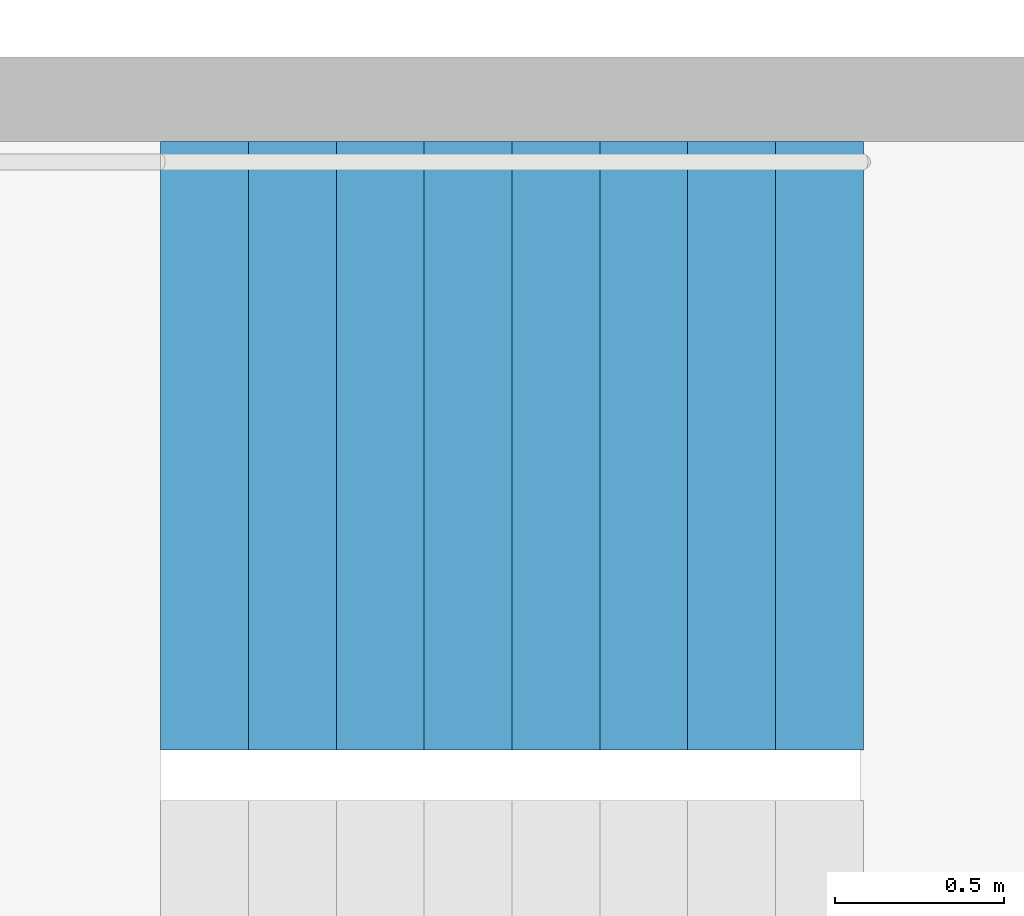
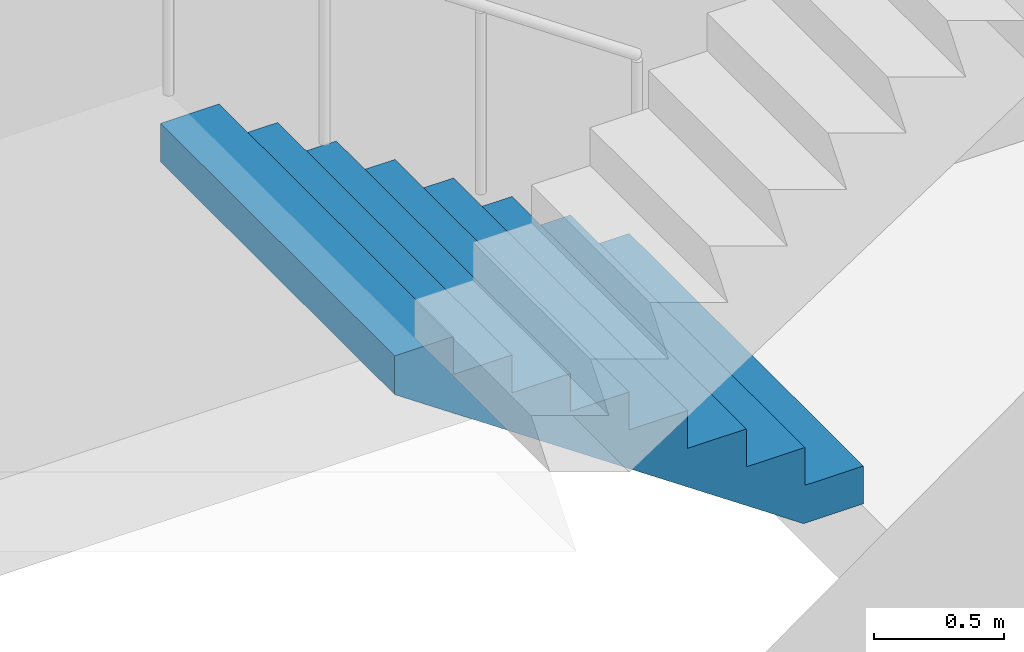
# One storey, part 17 of 29: 1 stair flight, 1 element without a shape of its own.
"""IFC4 building model written with IfcOpenShell, lengths in metres."""

from ifc_helpers import new_model, si_unit, direction, frame, origin, place, context, subcontext, project, spatial, triangles, material, type_object, element, aggregate, save


model = new_model("IFC4")

# Units and contexts
model_context = context("Model", 3, precision=1e-05, world=origin(), true_north=direction((0.0, 1.0)))
body_context = subcontext(model_context, "Body", "Model", "MODEL_VIEW")
ifc_project = project(units=[si_unit("LENGTHUNIT", "METRE"), si_unit("AREAUNIT", "SQUARE_METRE"), si_unit("VOLUMEUNIT", "CUBIC_METRE"), si_unit("PLANEANGLEUNIT", "RADIAN"), si_unit("MASSUNIT", "GRAM", prefix="KILO")], contexts=[model_context])

# Site, building, storey
site_placement = place(None, origin())
site = spatial("IfcSite", under=ifc_project, at=site_placement, CompositionType="ELEMENT")
building_placement = place(site_placement, origin())
building = spatial("IfcBuilding", under=site, at=building_placement, Name="Hakoniwa Tower and Hamabe Station Hall", CompositionType="ELEMENT")
storey_placement = place(building_placement, frame((0.0, 0.0, 163.0)))
storey = spatial("IfcBuildingStorey", under=building, at=storey_placement, Name="L46", CompositionType="ELEMENT", Elevation=163.0)

# Stair, stair flight
ifc_material_1 = material(Name="Concrete C40", Category="concrete")
stair_type = type_object("IfcStairType", Name="ESCAPE STAIR 1800", PredefinedType="HALF_TURN_STAIR", material=ifc_material_1)
stair_placement = place(storey_placement, origin())
stair = element("IfcStair", 1, at=stair_placement, inside=storey, type_object=stair_type, Name="Escape stair ST-2 L46", PredefinedType="HALF_TURN_STAIR")
ifc_material_2 = material(Name="Concrete C40", Category="concrete")
stair_flight_type = type_object("IfcStairFlightType", Name="STAIR FLIGHT 1800", PredefinedType="STRAIGHT", material=ifc_material_2)
stair_flight_placement = place(storey_placement, frame((-23.39990234375, -4.64990234375, 0.0), z_axis=(0.0, 0.0, 1.0), x_axis=(-1.0, 0.0, 0.0)))
stair_flight = element("IfcStairFlight", 2, at=stair_flight_placement, type_object=stair_flight_type, Name="ST-2 flight 1", NumberOfRisers=9, NumberOfTreads=8, PredefinedType="STRAIGHT", RiserHeight=0.177777778, TreadLength=0.26, context=body_context, shape_type="Tessellation", body=[
    triangles([(0.0, 0.89990234375, 0.0), (0.260009765625, 0.89990234375, 0.0), (0.265625, 0.89990234375, 0.0), (0.52001953125, 0.89990234375, 0.174072265625), (0.780029296875, 0.89990234375, 0.351806640625), (1.0400390625, 0.89990234375, 0.529541015625), (1.300048828125, 0.89990234375, 0.707275390625), (1.56005859375, 0.89990234375, 0.885009765625), (1.820068359375, 0.89990234375, 1.062744140625), (2.080078125, 0.89990234375, 1.24072265625), (2.080078125, 0.89990234375, 1.422119140625), (1.820068359375, 0.89990234375, 1.422119140625), (1.820068359375, 0.89990234375, 1.244384765625), (1.56005859375, 0.89990234375, 1.244384765625), (1.56005859375, 0.89990234375, 1.066650390625), (1.300048828125, 0.89990234375, 1.066650390625), (1.300048828125, 0.89990234375, 0.888916015625), (1.0400390625, 0.89990234375, 0.888916015625), (1.0400390625, 0.89990234375, 0.711181640625), (0.780029296875, 0.89990234375, 0.711181640625), (0.780029296875, 0.89990234375, 0.533447265625), (0.52001953125, 0.89990234375, 0.533447265625), (0.52001953125, 0.89990234375, 0.35546875), (0.265625, 0.89990234375, 0.35546875), (0.260009765625, 0.89990234375, 0.35546875), (0.260009765625, 0.89990234375, 0.177734375), (0.0, 0.89990234375, 0.177734375), (0.0, 0.06005859375, 0.0), (0.260009765625, 0.06005859375, 0.0), (0.265625, 0.06005859375, 0.0), (0.52001953125, 0.06005859375, 0.174072265625), (0.780029296875, 0.06005859375, 0.351806640625), (1.0400390625, 0.06005859375, 0.529541015625), (1.300048828125, 0.06005859375, 0.707275390625), (1.56005859375, 0.06005859375, 0.885009765625), (1.820068359375, 0.06005859375, 1.062744140625), (2.080078125, 0.06005859375, 1.24072265625), (2.080078125, 0.06005859375, 1.422119140625), (1.820068359375, 0.06005859375, 1.422119140625), (1.820068359375, 0.06005859375, 1.244384765625), (1.56005859375, 0.06005859375, 1.244384765625), (1.56005859375, 0.06005859375, 1.066650390625), (1.300048828125, 0.06005859375, 1.066650390625), (1.300048828125, 0.06005859375, 0.888916015625), (1.0400390625, 0.06005859375, 0.888916015625), (1.0400390625, 0.06005859375, 0.711181640625), (0.780029296875, 0.06005859375, 0.711181640625), (0.780029296875, 0.06005859375, 0.533447265625), (0.52001953125, 0.06005859375, 0.533447265625), (0.52001953125, 0.06005859375, 0.35546875), (0.265625, 0.06005859375, 0.35546875), (0.260009765625, 0.06005859375, 0.35546875), (0.260009765625, 0.06005859375, 0.177734375), (0.0, 0.06005859375, 0.177734375), (0.0, 0.04296875, 0.0), (0.260009765625, 0.04296875, 0.0), (0.265625, 0.04296875, 0.0), (0.52001953125, 0.04296875, 0.174072265625), (0.780029296875, 0.04296875, 0.351806640625), (1.0400390625, 0.04296875, 0.529541015625), (1.300048828125, 0.04296875, 0.707275390625), (1.56005859375, 0.04296875, 0.885009765625), (1.820068359375, 0.04296875, 1.062744140625), (2.080078125, 0.04296875, 1.24072265625), (2.080078125, 0.04296875, 1.422119140625), (1.820068359375, 0.04296875, 1.422119140625), (1.820068359375, 0.04296875, 1.244384765625), (1.56005859375, 0.04296875, 1.244384765625), (1.56005859375, 0.04296875, 1.066650390625), (1.300048828125, 0.04296875, 1.066650390625), (1.300048828125, 0.04296875, 0.888916015625), (1.0400390625, 0.04296875, 0.888916015625), (1.0400390625, 0.04296875, 0.711181640625), (0.780029296875, 0.04296875, 0.711181640625), (0.780029296875, 0.04296875, 0.533447265625), (0.52001953125, 0.04296875, 0.533447265625), (0.52001953125, 0.04296875, 0.35546875), (0.265625, 0.04296875, 0.35546875), (0.260009765625, 0.04296875, 0.35546875), (0.260009765625, 0.04296875, 0.177734375), (0.0, 0.04296875, 0.177734375), (0.0, 0.025634765625, 0.0), (0.260009765625, 0.025634765625, 0.0), (0.265625, 0.025634765625, 0.0), (0.52001953125, 0.025634765625, 0.174072265625), (0.780029296875, 0.025634765625, 0.351806640625), (1.0400390625, 0.025634765625, 0.529541015625), (1.300048828125, 0.025634765625, 0.707275390625), (1.56005859375, 0.025634765625, 0.885009765625), (1.820068359375, 0.025634765625, 1.062744140625), (2.080078125, 0.025634765625, 1.24072265625), (2.080078125, 0.025634765625, 1.422119140625), (1.820068359375, 0.025634765625, 1.422119140625), (1.820068359375, 0.025634765625, 1.244384765625), (1.56005859375, 0.025634765625, 1.244384765625), (1.56005859375, 0.025634765625, 1.066650390625), (1.300048828125, 0.025634765625, 1.066650390625), (1.300048828125, 0.025634765625, 0.888916015625), (1.0400390625, 0.025634765625, 0.888916015625), (1.0400390625, 0.025634765625, 0.711181640625), (0.780029296875, 0.025634765625, 0.711181640625), (0.780029296875, 0.025634765625, 0.533447265625), (0.52001953125, 0.025634765625, 0.533447265625), (0.52001953125, 0.025634765625, 0.35546875), (0.265625, 0.025634765625, 0.35546875), (0.260009765625, 0.025634765625, 0.35546875), (0.260009765625, 0.025634765625, 0.177734375), (0.0, 0.025634765625, 0.177734375), (0.0, 0.008544921875, 0.0), (0.260009765625, 0.008544921875, 0.0), (0.265625, 0.008544921875, 0.0), (0.52001953125, 0.008544921875, 0.174072265625), (0.780029296875, 0.008544921875, 0.351806640625), (1.0400390625, 0.008544921875, 0.529541015625), (1.300048828125, 0.008544921875, 0.707275390625), (1.56005859375, 0.008544921875, 0.885009765625), (1.820068359375, 0.008544921875, 1.062744140625), (2.080078125, 0.008544921875, 1.24072265625), (2.080078125, 0.008544921875, 1.422119140625), (1.820068359375, 0.008544921875, 1.422119140625), (1.820068359375, 0.008544921875, 1.244384765625), (1.56005859375, 0.008544921875, 1.244384765625), (1.56005859375, 0.008544921875, 1.066650390625), (1.300048828125, 0.008544921875, 1.066650390625), (1.300048828125, 0.008544921875, 0.888916015625), (1.0400390625, 0.008544921875, 0.888916015625), (1.0400390625, 0.008544921875, 0.711181640625), (0.780029296875, 0.008544921875, 0.711181640625), (0.780029296875, 0.008544921875, 0.533447265625), (0.52001953125, 0.008544921875, 0.533447265625), (0.52001953125, 0.008544921875, 0.35546875), (0.265625, 0.008544921875, 0.35546875), (0.260009765625, 0.008544921875, 0.35546875), (0.260009765625, 0.008544921875, 0.177734375), (0.0, 0.008544921875, 0.177734375), (0.0, -0.008544921875, 0.0), (0.260009765625, -0.008544921875, 0.0), (0.265625, -0.008544921875, 0.0), (0.52001953125, -0.008544921875, 0.174072265625), (0.780029296875, -0.008544921875, 0.351806640625), (1.0400390625, -0.008544921875, 0.529541015625), (1.300048828125, -0.008544921875, 0.707275390625), (1.56005859375, -0.008544921875, 0.885009765625), (1.820068359375, -0.008544921875, 1.062744140625), (2.080078125, -0.008544921875, 1.24072265625), (2.080078125, -0.008544921875, 1.422119140625), (1.820068359375, -0.008544921875, 1.422119140625), (1.820068359375, -0.008544921875, 1.244384765625), (1.56005859375, -0.008544921875, 1.244384765625), (1.56005859375, -0.008544921875, 1.066650390625), (1.300048828125, -0.008544921875, 1.066650390625), (1.300048828125, -0.008544921875, 0.888916015625), (1.0400390625, -0.008544921875, 0.888916015625), (1.0400390625, -0.008544921875, 0.711181640625), (0.780029296875, -0.008544921875, 0.711181640625), (0.780029296875, -0.008544921875, 0.533447265625), (0.52001953125, -0.008544921875, 0.533447265625), (0.52001953125, -0.008544921875, 0.35546875), (0.265625, -0.008544921875, 0.35546875), (0.260009765625, -0.008544921875, 0.35546875), (0.260009765625, -0.008544921875, 0.177734375), (0.0, -0.008544921875, 0.177734375), (0.0, -0.025634765625, 0.0), (0.260009765625, -0.025634765625, 0.0), (0.265625, -0.025634765625, 0.0), (0.52001953125, -0.025634765625, 0.174072265625), (0.780029296875, -0.025634765625, 0.351806640625), (1.0400390625, -0.025634765625, 0.529541015625), (1.300048828125, -0.025634765625, 0.707275390625), (1.56005859375, -0.025634765625, 0.885009765625), (1.820068359375, -0.025634765625, 1.062744140625), (2.080078125, -0.025634765625, 1.24072265625), (2.080078125, -0.025634765625, 1.422119140625), (1.820068359375, -0.025634765625, 1.422119140625), (1.820068359375, -0.025634765625, 1.244384765625), (1.56005859375, -0.025634765625, 1.244384765625), (1.56005859375, -0.025634765625, 1.066650390625), (1.300048828125, -0.025634765625, 1.066650390625), (1.300048828125, -0.025634765625, 0.888916015625), (1.0400390625, -0.025634765625, 0.888916015625), (1.0400390625, -0.025634765625, 0.711181640625), (0.780029296875, -0.025634765625, 0.711181640625), (0.780029296875, -0.025634765625, 0.533447265625), (0.52001953125, -0.025634765625, 0.533447265625), (0.52001953125, -0.025634765625, 0.35546875), (0.265625, -0.025634765625, 0.35546875), (0.260009765625, -0.025634765625, 0.35546875), (0.260009765625, -0.025634765625, 0.177734375), (0.0, -0.025634765625, 0.177734375), (0.0, -0.04296875, 0.0), (0.260009765625, -0.04296875, 0.0), (0.265625, -0.04296875, 0.0), (0.52001953125, -0.04296875, 0.174072265625), (0.780029296875, -0.04296875, 0.351806640625), (1.0400390625, -0.04296875, 0.529541015625), (1.300048828125, -0.04296875, 0.707275390625), (1.56005859375, -0.04296875, 0.885009765625), (1.820068359375, -0.04296875, 1.062744140625), (2.080078125, -0.04296875, 1.24072265625), (2.080078125, -0.04296875, 1.422119140625), (1.820068359375, -0.04296875, 1.422119140625), (1.820068359375, -0.04296875, 1.244384765625), (1.56005859375, -0.04296875, 1.244384765625), (1.56005859375, -0.04296875, 1.066650390625), (1.300048828125, -0.04296875, 1.066650390625), (1.300048828125, -0.04296875, 0.888916015625), (1.0400390625, -0.04296875, 0.888916015625), (1.0400390625, -0.04296875, 0.711181640625), (0.780029296875, -0.04296875, 0.711181640625), (0.780029296875, -0.04296875, 0.533447265625), (0.52001953125, -0.04296875, 0.533447265625), (0.52001953125, -0.04296875, 0.35546875), (0.265625, -0.04296875, 0.35546875), (0.260009765625, -0.04296875, 0.35546875), (0.260009765625, -0.04296875, 0.177734375), (0.0, -0.04296875, 0.177734375), (0.0, -0.06005859375, 0.0), (0.260009765625, -0.06005859375, 0.0), (0.265625, -0.06005859375, 0.0), (0.52001953125, -0.06005859375, 0.174072265625), (0.780029296875, -0.06005859375, 0.351806640625), (1.0400390625, -0.06005859375, 0.529541015625), (1.300048828125, -0.06005859375, 0.707275390625), (1.56005859375, -0.06005859375, 0.885009765625), (1.820068359375, -0.06005859375, 1.062744140625), (2.080078125, -0.06005859375, 1.24072265625), (2.080078125, -0.06005859375, 1.422119140625), (1.820068359375, -0.06005859375, 1.422119140625), (1.820068359375, -0.06005859375, 1.244384765625), (1.56005859375, -0.06005859375, 1.244384765625), (1.56005859375, -0.06005859375, 1.066650390625), (1.300048828125, -0.06005859375, 1.066650390625), (1.300048828125, -0.06005859375, 0.888916015625), (1.0400390625, -0.06005859375, 0.888916015625), (1.0400390625, -0.06005859375, 0.711181640625), (0.780029296875, -0.06005859375, 0.711181640625), (0.780029296875, -0.06005859375, 0.533447265625), (0.52001953125, -0.06005859375, 0.533447265625), (0.52001953125, -0.06005859375, 0.35546875), (0.265625, -0.06005859375, 0.35546875), (0.260009765625, -0.06005859375, 0.35546875), (0.260009765625, -0.06005859375, 0.177734375), (0.0, -0.06005859375, 0.177734375), (0.0, -0.89990234375, 0.0), (0.260009765625, -0.89990234375, 0.0), (0.265625, -0.89990234375, 0.0), (0.52001953125, -0.89990234375, 0.174072265625), (0.780029296875, -0.89990234375, 0.351806640625), (1.0400390625, -0.89990234375, 0.529541015625), (1.300048828125, -0.89990234375, 0.707275390625), (1.56005859375, -0.89990234375, 0.885009765625), (1.820068359375, -0.89990234375, 1.062744140625), (2.080078125, -0.89990234375, 1.24072265625), (2.080078125, -0.89990234375, 1.422119140625), (1.820068359375, -0.89990234375, 1.422119140625), (1.820068359375, -0.89990234375, 1.244384765625), (1.56005859375, -0.89990234375, 1.244384765625), (1.56005859375, -0.89990234375, 1.066650390625), (1.300048828125, -0.89990234375, 1.066650390625), (1.300048828125, -0.89990234375, 0.888916015625), (1.0400390625, -0.89990234375, 0.888916015625), (1.0400390625, -0.89990234375, 0.711181640625), (0.780029296875, -0.89990234375, 0.711181640625), (0.780029296875, -0.89990234375, 0.533447265625), (0.52001953125, -0.89990234375, 0.533447265625), (0.52001953125, -0.89990234375, 0.35546875), (0.265625, -0.89990234375, 0.35546875), (0.260009765625, -0.89990234375, 0.35546875), (0.260009765625, -0.89990234375, 0.177734375), (0.0, -0.89990234375, 0.177734375)], [[2, 27, 26], [245, 269, 270], [2, 1, 27], [245, 270, 244], [3, 25, 24], [246, 267, 268], [3, 26, 25], [246, 268, 269], [3, 2, 26], [246, 269, 245], [4, 24, 23], [247, 266, 267], [4, 3, 24], [247, 267, 246], [5, 22, 21], [248, 264, 265], [5, 23, 22], [248, 265, 266], [5, 4, 23], [248, 266, 247], [6, 20, 19], [249, 262, 263], [6, 21, 20], [249, 263, 264], [6, 5, 21], [249, 264, 248], [7, 18, 17], [250, 260, 261], [7, 19, 18], [250, 261, 262], [7, 6, 19], [250, 262, 249], [8, 16, 15], [251, 258, 259], [8, 17, 16], [251, 259, 260], [8, 7, 17], [251, 260, 250], [9, 14, 13], [252, 256, 257], [9, 15, 14], [252, 257, 258], [9, 8, 15], [252, 258, 251], [10, 12, 11], [253, 254, 255], [10, 13, 12], [253, 255, 256], [10, 9, 13], [253, 256, 252], [1, 2, 29], [1, 29, 28], [28, 29, 56], [28, 56, 55], [55, 56, 83], [55, 83, 82], [82, 83, 110], [82, 110, 109], [109, 110, 137], [109, 137, 136], [136, 137, 164], [136, 164, 163], [163, 164, 191], [163, 191, 190], [190, 191, 218], [190, 218, 217], [217, 218, 245], [217, 245, 244], [2, 3, 30], [2, 30, 29], [29, 30, 57], [29, 57, 56], [56, 57, 84], [56, 84, 83], [83, 84, 111], [83, 111, 110], [110, 111, 138], [110, 138, 137], [137, 138, 165], [137, 165, 164], [164, 165, 192], [164, 192, 191], [191, 192, 219], [191, 219, 218], [218, 219, 246], [218, 246, 245], [3, 4, 31], [3, 31, 30], [30, 31, 58], [30, 58, 57], [57, 58, 85], [57, 85, 84], [84, 85, 112], [84, 112, 111], [111, 112, 139], [111, 139, 138], [138, 139, 166], [138, 166, 165], [165, 166, 193], [165, 193, 192], [192, 193, 220], [192, 220, 219], [219, 220, 247], [219, 247, 246], [4, 5, 32], [4, 32, 31], [31, 32, 59], [31, 59, 58], [58, 59, 86], [58, 86, 85], [85, 86, 113], [85, 113, 112], [112, 113, 140], [112, 140, 139], [139, 140, 167], [139, 167, 166], [166, 167, 194], [166, 194, 193], [193, 194, 221], [193, 221, 220], [220, 221, 248], [220, 248, 247], [5, 6, 33], [5, 33, 32], [32, 33, 60], [32, 60, 59], [59, 60, 87], [59, 87, 86], [86, 87, 114], [86, 114, 113], [113, 114, 141], [113, 141, 140], [140, 141, 168], [140, 168, 167], [167, 168, 195], [167, 195, 194], [194, 195, 222], [194, 222, 221], [221, 222, 249], [221, 249, 248], [6, 7, 34], [6, 34, 33], [33, 34, 61], [33, 61, 60], [60, 61, 88], [60, 88, 87], [87, 88, 115], [87, 115, 114], [114, 115, 142], [114, 142, 141], [141, 142, 169], [141, 169, 168], [168, 169, 196], [168, 196, 195], [195, 196, 223], [195, 223, 222], [222, 223, 250], [222, 250, 249], [7, 8, 35], [7, 35, 34], [34, 35, 62], [34, 62, 61], [61, 62, 89], [61, 89, 88], [88, 89, 116], [88, 116, 115], [115, 116, 143], [115, 143, 142], [142, 143, 170], [142, 170, 169], [169, 170, 197], [169, 197, 196], [196, 197, 224], [196, 224, 223], [223, 224, 251], [223, 251, 250], [8, 9, 36], [8, 36, 35], [35, 36, 63], [35, 63, 62], [62, 63, 90], [62, 90, 89], [89, 90, 117], [89, 117, 116], [116, 117, 144], [116, 144, 143], [143, 144, 171], [143, 171, 170], [170, 171, 198], [170, 198, 197], [197, 198, 225], [197, 225, 224], [224, 225, 252], [224, 252, 251], [9, 10, 37], [9, 37, 36], [36, 37, 64], [36, 64, 63], [63, 64, 91], [63, 91, 90], [90, 91, 118], [90, 118, 117], [117, 118, 145], [117, 145, 144], [144, 145, 172], [144, 172, 171], [171, 172, 199], [171, 199, 198], [198, 199, 226], [198, 226, 225], [225, 226, 253], [225, 253, 252], [10, 11, 38], [10, 38, 37], [37, 38, 65], [37, 65, 64], [64, 65, 92], [64, 92, 91], [91, 92, 119], [91, 119, 118], [118, 119, 146], [118, 146, 145], [145, 146, 173], [145, 173, 172], [172, 173, 200], [172, 200, 199], [199, 200, 227], [199, 227, 226], [226, 227, 254], [226, 254, 253], [11, 12, 39], [11, 39, 38], [38, 39, 66], [38, 66, 65], [65, 66, 93], [65, 93, 92], [92, 93, 120], [92, 120, 119], [119, 120, 147], [119, 147, 146], [146, 147, 174], [146, 174, 173], [173, 174, 201], [173, 201, 200], [200, 201, 228], [200, 228, 227], [227, 228, 255], [227, 255, 254], [12, 13, 40], [12, 40, 39], [39, 40, 67], [39, 67, 66], [66, 67, 94], [66, 94, 93], [93, 94, 121], [93, 121, 120], [120, 121, 148], [120, 148, 147], [147, 148, 175], [147, 175, 174], [174, 175, 202], [174, 202, 201], [201, 202, 229], [201, 229, 228], [228, 229, 256], [228, 256, 255], [13, 14, 41], [13, 41, 40], [40, 41, 68], [40, 68, 67], [67, 68, 95], [67, 95, 94], [94, 95, 122], [94, 122, 121], [121, 122, 149], [121, 149, 148], [148, 149, 176], [148, 176, 175], [175, 176, 203], [175, 203, 202], [202, 203, 230], [202, 230, 229], [229, 230, 257], [229, 257, 256], [14, 15, 42], [14, 42, 41], [41, 42, 69], [41, 69, 68], [68, 69, 96], [68, 96, 95], [95, 96, 123], [95, 123, 122], [122, 123, 150], [122, 150, 149], [149, 150, 177], [149, 177, 176], [176, 177, 204], [176, 204, 203], [203, 204, 231], [203, 231, 230], [230, 231, 258], [230, 258, 257], [15, 16, 43], [15, 43, 42], [42, 43, 70], [42, 70, 69], [69, 70, 97], [69, 97, 96], [96, 97, 124], [96, 124, 123], [123, 124, 151], [123, 151, 150], [150, 151, 178], [150, 178, 177], [177, 178, 205], [177, 205, 204], [204, 205, 232], [204, 232, 231], [231, 232, 259], [231, 259, 258], [16, 17, 44], [16, 44, 43], [43, 44, 71], [43, 71, 70], [70, 71, 98], [70, 98, 97], [97, 98, 125], [97, 125, 124], [124, 125, 152], [124, 152, 151], [151, 152, 179], [151, 179, 178], [178, 179, 206], [178, 206, 205], [205, 206, 233], [205, 233, 232], [232, 233, 260], [232, 260, 259], [17, 18, 45], [17, 45, 44], [44, 45, 72], [44, 72, 71], [71, 72, 99], [71, 99, 98], [98, 99, 126], [98, 126, 125], [125, 126, 153], [125, 153, 152], [152, 153, 180], [152, 180, 179], [179, 180, 207], [179, 207, 206], [206, 207, 234], [206, 234, 233], [233, 234, 261], [233, 261, 260], [18, 19, 46], [18, 46, 45], [45, 46, 73], [45, 73, 72], [72, 73, 100], [72, 100, 99], [99, 100, 127], [99, 127, 126], [126, 127, 154], [126, 154, 153], [153, 154, 181], [153, 181, 180], [180, 181, 208], [180, 208, 207], [207, 208, 235], [207, 235, 234], [234, 235, 262], [234, 262, 261], [19, 20, 47], [19, 47, 46], [46, 47, 74], [46, 74, 73], [73, 74, 101], [73, 101, 100], [100, 101, 128], [100, 128, 127], [127, 128, 155], [127, 155, 154], [154, 155, 182], [154, 182, 181], [181, 182, 209], [181, 209, 208], [208, 209, 236], [208, 236, 235], [235, 236, 263], [235, 263, 262], [20, 21, 48], [20, 48, 47], [47, 48, 75], [47, 75, 74], [74, 75, 102], [74, 102, 101], [101, 102, 129], [101, 129, 128], [128, 129, 156], [128, 156, 155], [155, 156, 183], [155, 183, 182], [182, 183, 210], [182, 210, 209], [209, 210, 237], [209, 237, 236], [236, 237, 264], [236, 264, 263], [21, 22, 49], [21, 49, 48], [48, 49, 76], [48, 76, 75], [75, 76, 103], [75, 103, 102], [102, 103, 130], [102, 130, 129], [129, 130, 157], [129, 157, 156], [156, 157, 184], [156, 184, 183], [183, 184, 211], [183, 211, 210], [210, 211, 238], [210, 238, 237], [237, 238, 265], [237, 265, 264], [22, 23, 50], [22, 50, 49], [49, 50, 77], [49, 77, 76], [76, 77, 104], [76, 104, 103], [103, 104, 131], [103, 131, 130], [130, 131, 158], [130, 158, 157], [157, 158, 185], [157, 185, 184], [184, 185, 212], [184, 212, 211], [211, 212, 239], [211, 239, 238], [238, 239, 266], [238, 266, 265], [23, 24, 51], [23, 51, 50], [50, 51, 78], [50, 78, 77], [77, 78, 105], [77, 105, 104], [104, 105, 132], [104, 132, 131], [131, 132, 159], [131, 159, 158], [158, 159, 186], [158, 186, 185], [185, 186, 213], [185, 213, 212], [212, 213, 240], [212, 240, 239], [239, 240, 267], [239, 267, 266], [24, 25, 52], [24, 52, 51], [51, 52, 79], [51, 79, 78], [78, 79, 106], [78, 106, 105], [105, 106, 133], [105, 133, 132], [132, 133, 160], [132, 160, 159], [159, 160, 187], [159, 187, 186], [186, 187, 214], [186, 214, 213], [213, 214, 241], [213, 241, 240], [240, 241, 268], [240, 268, 267], [25, 26, 53], [25, 53, 52], [52, 53, 80], [52, 80, 79], [79, 80, 107], [79, 107, 106], [106, 107, 134], [106, 134, 133], [133, 134, 161], [133, 161, 160], [160, 161, 188], [160, 188, 187], [187, 188, 215], [187, 215, 214], [214, 215, 242], [214, 242, 241], [241, 242, 269], [241, 269, 268], [26, 27, 54], [26, 54, 53], [53, 54, 81], [53, 81, 80], [80, 81, 108], [80, 108, 107], [107, 108, 135], [107, 135, 134], [134, 135, 162], [134, 162, 161], [161, 162, 189], [161, 189, 188], [188, 189, 216], [188, 216, 215], [215, 216, 243], [215, 243, 242], [242, 243, 270], [242, 270, 269], [27, 1, 28], [27, 28, 54], [54, 28, 55], [54, 55, 81], [81, 55, 82], [81, 82, 108], [108, 82, 109], [108, 109, 135], [135, 109, 136], [135, 136, 162], [162, 136, 163], [162, 163, 189], [189, 163, 190], [189, 190, 216], [216, 190, 217], [216, 217, 243], [243, 217, 244], [243, 244, 270]], closed=True),
])
aggregate(stair, [stair_flight])

save(model, "model.ifc")
